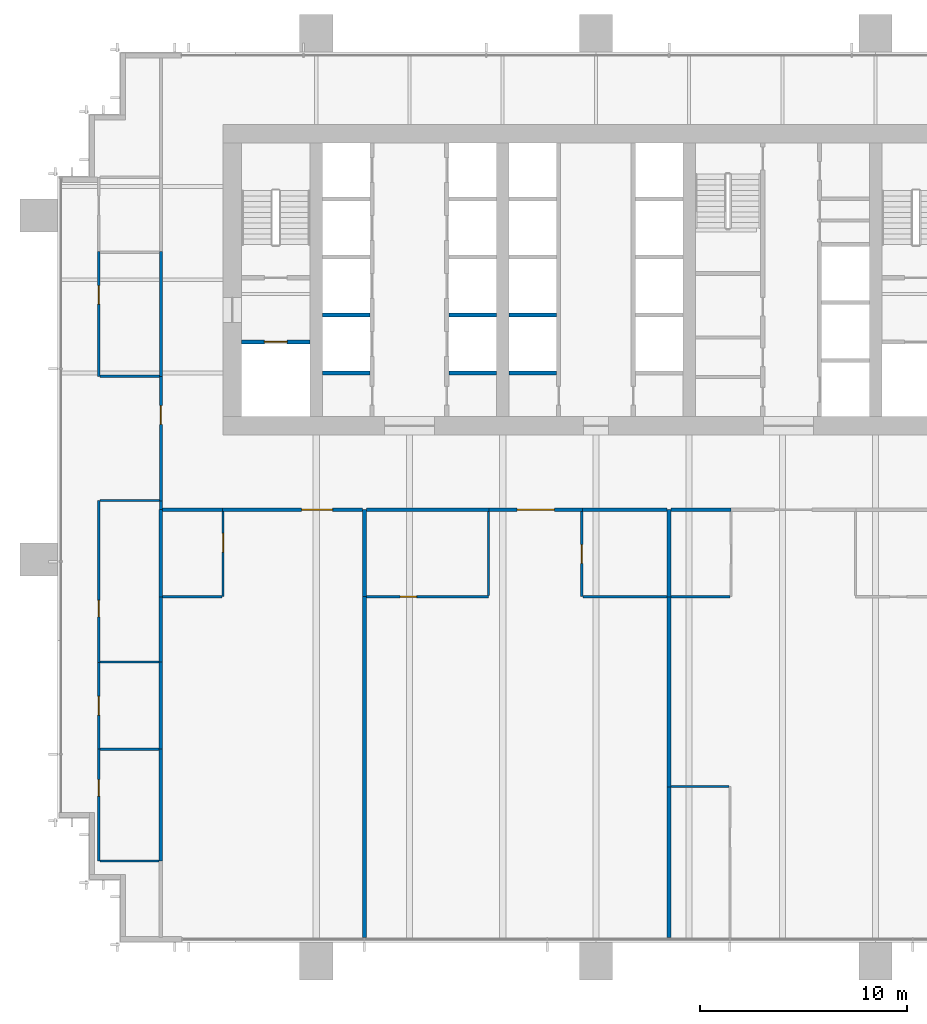
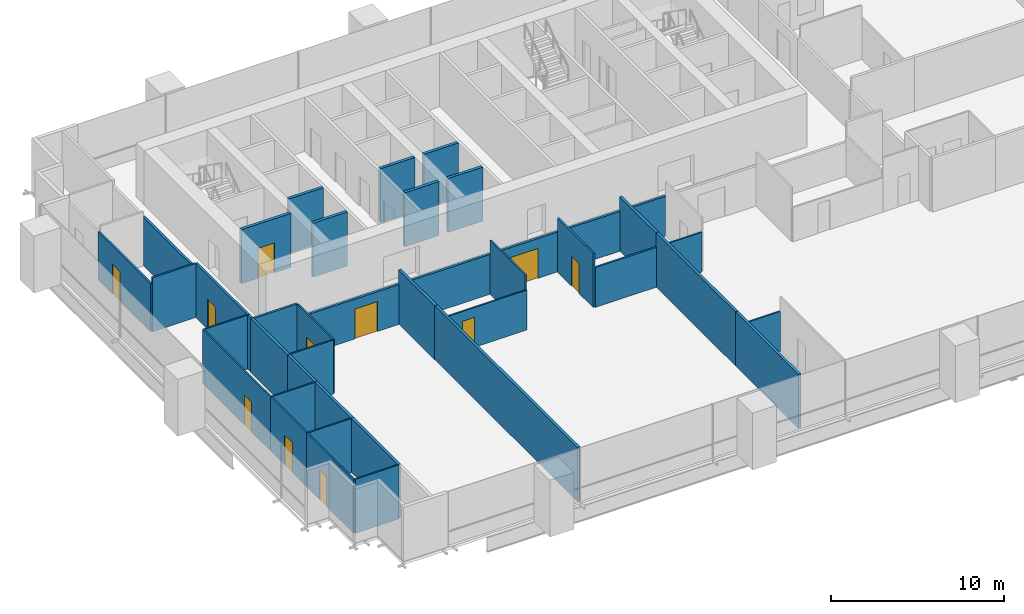
# One storey, part 12 of 17: 42 walls, 11 doors, 11 openings.
"""IFC4 building model written with IfcOpenShell, lengths in metres."""

from ifc_helpers import new_model, si_unit, direction, frame, frame_2d, origin, place, context, subcontext, project, spatial, rectangle, extrude, material, layer, layer_set, type_object, element, fill, save


model = new_model("IFC4")

# Units and contexts
model_context = context("Model", 3, precision=1e-05, world=origin(), true_north=direction((0.0, 1.0)))
body_context = subcontext(model_context, "Body", "Model", "MODEL_VIEW")
ifc_project = project(units=[si_unit("LENGTHUNIT", "METRE"), si_unit("AREAUNIT", "SQUARE_METRE"), si_unit("VOLUMEUNIT", "CUBIC_METRE"), si_unit("PLANEANGLEUNIT", "RADIAN"), si_unit("MASSUNIT", "GRAM", prefix="KILO")], contexts=[model_context])

# Site, building, storey
site_placement = place(None, origin())
site = spatial("IfcSite", under=ifc_project, at=site_placement, CompositionType="ELEMENT")
building_placement = place(site_placement, origin())
building = spatial("IfcBuilding", under=site, at=building_placement, Name="Rattan Terrace Tower", CompositionType="ELEMENT")
storey_placement = place(building_placement, frame((0.0, 0.0, 83.699951171875)))
storey = spatial("IfcBuildingStorey", under=building, at=storey_placement, Name="L18", CompositionType="ELEMENT", Elevation=83.699951171875)

# Wall, opening, door
ifc_material_1 = material(Name="Gypsum board partition")
ifc_layer_1 = layer(ifc_material_1, 0.199951171875)
ifc_layer_set_1 = layer_set([ifc_layer_1], Name="Core partition 200")
wall_type_1 = type_object("IfcWallType", Name="Core partition 200", PredefinedType="PARTITIONING", material=ifc_layer_set_1)
wall_1_placement = place(storey_placement, frame((-17.10009765625, -3.0, 0.0), z_axis=(0.0, 0.0, 1.0), x_axis=(1.0, 0.0, 0.0)))
wall_1 = element("IfcWall", 1, at=wall_1_placement, inside=storey, type_object=wall_type_1, Name="Fire-fighting lobby wall", PredefinedType="PARTITIONING", context=body_context, shape_type="SweptSolid", body=[
    extrude(rectangle(XDim=3.300048828125, YDim=0.199951171875, at=frame_2d((1.64990234375, 0.0))), origin(), (0.0, 0.0, 1.0), 3.800048828125),
])
opening_1_placement = place(wall_1_placement, frame((1.10009765625, 0.0, 0.0)))
opening_1 = element("IfcOpeningElement", 2, at=opening_1_placement, cuts=wall_1, Name="Opening L18-LD-FF1", PredefinedType="OPENING", context=body_context, shape_type="SweptSolid", body=[
    extrude(rectangle(XDim=1.10009765625, YDim=2.10009765625, at=frame_2d((0.550048828125, 1.050048828125))), frame((0.0, 0.110595703125, 0.0), z_axis=(0.0, -1.0, 0.0), x_axis=(1.0, 0.0, 0.0)), (0.0, 0.0, 1.0), 0.220947265625),
])
ifc_material_2 = material(Name="Brushed stainless landing door panel")
door_type_1 = type_object("IfcDoorType", Name="Core lift landing door 1100", OperationType="DOUBLE_DOOR_SLIDING", PredefinedType="DOOR", material=ifc_material_2)
door_1_placement = place(opening_1_placement, origin())
door_1 = element("IfcDoor", 3, at=door_1_placement, inside=storey, type_object=door_type_1, Name="Door L18-LD-FF1", OperationType="DOUBLE_DOOR_SLIDING", OverallHeight=2.10009765625, OverallWidth=1.10009765625, PredefinedType="DOOR", context=body_context, shape_type="SweptSolid", body=[
    extrude(rectangle(XDim=1.10009765625, YDim=2.10009765625, at=frame_2d((0.550048828125, 1.050048828125))), frame((0.0, 0.02490234375, 0.0), z_axis=(0.0, -1.0, 0.0), x_axis=(1.0, 0.0, 0.0)), (0.0, 0.0, 1.0), 0.050048828125),
])
fill(opening_1, door_1)

# Walls
ifc_material_3 = material(Name="Double steel stud acoustic partition, gypsum board, mineral wool, fire rated", Category="steel")
ifc_layer_2 = layer(ifc_material_3, 0.179931640625)
ifc_layer_set_2 = layer_set([ifc_layer_2], Name="Floors Acoustic Party Wall 180")
wall_type_2 = type_object("IfcWallType", Name="Floors Acoustic Party Wall 180", PredefinedType="PARTITIONING", material=ifc_layer_set_2)
wall_2_placement = place(storey_placement, frame((-21.0, -22.659912109375, 0.0), z_axis=(0.0, 0.0, 1.0), x_axis=(0.0, -1.0, 0.0)))
element("IfcWall", 4, at=wall_2_placement, inside=storey, type_object=wall_type_2, Name="pt-L18-031", PredefinedType="PARTITIONING", context=body_context, shape_type="SweptSolid", body=[
    extrude(rectangle(XDim=5.400146484375, YDim=0.179931640625, at=frame_2d((2.7001953125, 0.0))), origin(), (0.0, 0.0, 1.0), 3.800048828125),
])
wall_3_placement = place(storey_placement, frame((-21.0, -18.4599609375, 0.0), z_axis=(0.0, 0.0, 1.0), x_axis=(0.0, -1.0, 0.0)))
element("IfcWall", 5, at=wall_3_placement, inside=storey, type_object=wall_type_2, Name="pt-L18-033", PredefinedType="PARTITIONING", context=body_context, shape_type="SweptSolid", body=[
    extrude(rectangle(XDim=4.199951171875, YDim=0.179931640625, at=frame_2d((2.10009765625, 0.0))), origin(), (0.0, 0.0, 1.0), 3.800048828125),
])
wall_4_placement = place(storey_placement, frame((-21.0, -15.320068359375, 0.0), z_axis=(0.0, 0.0, 1.0), x_axis=(0.0, -1.0, 0.0)))
element("IfcWall", 6, at=wall_4_placement, inside=storey, type_object=wall_type_2, Name="pt-L18-034", PredefinedType="PARTITIONING", context=body_context, shape_type="SweptSolid", body=[
    extrude(rectangle(XDim=3.139892578125, YDim=0.179931640625, at=frame_2d((1.56982421875, 0.0))), origin(), (0.0, 0.0, 1.0), 3.800048828125),
])
wall_5_placement = place(storey_placement, frame((-21.0, -11.080078125, 0.0), z_axis=(0.0, 0.0, 1.0), x_axis=(0.0, -1.0, 0.0)))
element("IfcWall", 7, at=wall_5_placement, inside=storey, type_object=wall_type_2, Name="pt-L18-035", PredefinedType="PARTITIONING", context=body_context, shape_type="SweptSolid", body=[
    extrude(rectangle(XDim=4.239990234375, YDim=0.179931640625, at=frame_2d((2.1201171875, 0.0))), origin(), (0.0, 0.0, 1.0), 3.800048828125),
])
wall_6_placement = place(storey_placement, frame((-11.176025390625, -15.280029296875, 0.0), z_axis=(0.0, 0.0, 1.0), x_axis=(0.0, -1.0, 0.0)))
element("IfcWall", 8, at=wall_6_placement, inside=storey, type_object=wall_type_2, Name="pt-L18-039", PredefinedType="PARTITIONING", context=body_context, shape_type="SweptSolid", body=[
    extrude(rectangle(XDim=16.4599609375, YDim=0.179931640625, at=frame_2d((8.22998046875, 0.0))), origin(), (0.0, 0.0, 1.0), 3.800048828125),
])
wall_7_placement = place(storey_placement, frame((-11.176025390625, -11.10009765625, 0.0), z_axis=(0.0, 0.0, 1.0), x_axis=(0.0, -1.0, 0.0)))
element("IfcWall", 9, at=wall_7_placement, inside=storey, type_object=wall_type_2, Name="pt-L18-040", PredefinedType="PARTITIONING", context=body_context, shape_type="SweptSolid", body=[
    extrude(rectangle(XDim=4.179931640625, YDim=0.179931640625, at=frame_2d((2.08984375, 0.0))), origin(), (0.0, 0.0, 1.0), 3.800048828125),
])
wall_8_placement = place(storey_placement, frame((3.529052734375, -15.300048828125, 0.0), z_axis=(0.0, 0.0, 1.0), x_axis=(0.0, -1.0, 0.0)))
element("IfcWall", 10, at=wall_8_placement, inside=storey, type_object=wall_type_2, Name="pt-L18-045", PredefinedType="PARTITIONING", context=body_context, shape_type="SweptSolid", body=[
    extrude(rectangle(XDim=9.179931640625, YDim=0.179931640625, at=frame_2d((4.58984375, 0.0))), origin(), (0.0, 0.0, 1.0), 3.800048828125),
])
wall_9_placement = place(storey_placement, frame((3.529052734375, -24.47998046875, 0.0), z_axis=(0.0, 0.0, 1.0), x_axis=(0.0, -1.0, 0.0)))
element("IfcWall", 11, at=wall_9_placement, inside=storey, type_object=wall_type_2, Name="pt-L18-046", PredefinedType="PARTITIONING", context=body_context, shape_type="SweptSolid", body=[
    extrude(rectangle(XDim=7.260009765625, YDim=0.179931640625, at=frame_2d((3.6298828125, 0.0))), origin(), (0.0, 0.0, 1.0), 3.800048828125),
])
wall_10_placement = place(storey_placement, frame((3.529052734375, -11.10009765625, 0.0), z_axis=(0.0, 0.0, 1.0), x_axis=(0.0, -1.0, 0.0)))
element("IfcWall", 12, at=wall_10_placement, inside=storey, type_object=wall_type_2, Name="pt-L18-047", PredefinedType="PARTITIONING", context=body_context, shape_type="SweptSolid", body=[
    extrude(rectangle(XDim=4.199951171875, YDim=0.179931640625, at=frame_2d((2.10009765625, 0.0))), origin(), (0.0, 0.0, 1.0), 3.800048828125),
])

# Wall, opening, door
ifc_material_4 = material(Name="Gypsum board partition on steel studs", Category="steel")
ifc_layer_3 = layer(ifc_material_4, 0.10009765625)
ifc_layer_set_3 = layer_set([ifc_layer_3], Name="Floors Partition 100")
wall_type_3 = type_object("IfcWallType", Name="Floors Partition 100", PredefinedType="PARTITIONING", material=ifc_layer_set_3)
wall_11_placement = place(storey_placement, frame((-24.0, -22.639892578125, 0.0), z_axis=(0.0, 0.0, 1.0), x_axis=(0.0, -1.0, 0.0)))
wall_11 = element("IfcWall", 13, at=wall_11_placement, inside=storey, type_object=wall_type_3, Name="pt-L18-020", PredefinedType="PARTITIONING", context=body_context, shape_type="SweptSolid", body=[
    extrude(rectangle(XDim=5.420166015625, YDim=0.10009765625, at=frame_2d((2.7099609375, 0.0))), origin(), (0.0, 0.0, 1.0), 3.800048828125),
])
opening_2_placement = place(wall_11_placement, frame((1.486083984375, 0.0, 0.0)))
opening_2 = element("IfcOpeningElement", 14, at=opening_2_placement, cuts=wall_11, Name="Opening L18-D101", PredefinedType="OPENING", context=body_context, shape_type="SweptSolid", body=[
    extrude(rectangle(XDim=0.800048828125, YDim=2.10009765625, at=frame_2d((0.39990234375, 1.050048828125))), frame((0.0, 0.060546875, 0.0), z_axis=(0.0, -1.0, 0.0), x_axis=(1.0, 0.0, 0.0)), (0.0, 0.0, 1.0), 0.12109375),
])
ifc_material_5 = material(Name="Solid core timber door, painted", Category="wood")
door_type_2 = type_object("IfcDoorType", Name="Floors Store Door 800x2100", OperationType="NOTDEFINED", PredefinedType="DOOR", material=ifc_material_5)
door_2_placement = place(opening_2_placement, origin())
door_2 = element("IfcDoor", 15, at=door_2_placement, inside=storey, type_object=door_type_2, Name="d-L18-101", OperationType="SINGLE_SWING_LEFT", OverallHeight=2.10009765625, OverallWidth=0.800048828125, PredefinedType="DOOR", context=body_context, shape_type="SweptSolid", body=[
    extrude(rectangle(XDim=0.800048828125, YDim=2.10009765625, at=frame_2d((0.39990234375, 1.050048828125))), frame((0.0, 0.02490234375, 0.0), z_axis=(0.0, -1.0, 0.0), x_axis=(1.0, 0.0, 0.0)), (0.0, 0.0, 1.0), 0.050048828125),
])
fill(opening_2, door_2)

# Wall
wall_12_placement = place(storey_placement, frame((-23.949951171875, -28.06005859375, 0.0), z_axis=(0.0, 0.0, 1.0), x_axis=(1.0, 0.0, 0.0)))
element("IfcWall", 16, at=wall_12_placement, inside=storey, type_object=wall_type_3, Name="pt-L18-021", PredefinedType="PARTITIONING", context=body_context, shape_type="SweptSolid", body=[
    extrude(rectangle(XDim=2.85986328125, YDim=0.10009765625, at=frame_2d((1.429931640625, 0.0))), origin(), (0.0, 0.0, 1.0), 3.800048828125),
])

# Wall, opening, door
wall_13_placement = place(storey_placement, frame((-24.0, -18.47998046875, 0.0), z_axis=(0.0, 0.0, 1.0), x_axis=(0.0, -1.0, 0.0)))
wall_13 = element("IfcWall", 17, at=wall_13_placement, inside=storey, type_object=wall_type_3, Name="pt-L18-022", PredefinedType="PARTITIONING", context=body_context, shape_type="SweptSolid", body=[
    extrude(rectangle(XDim=4.159912109375, YDim=0.10009765625, at=frame_2d((2.080078125, 0.0))), origin(), (0.0, 0.0, 1.0), 3.800048828125),
])
opening_3_placement = place(wall_13_placement, frame((1.6298828125, 0.0, 0.0)))
opening_3 = element("IfcOpeningElement", 18, at=opening_3_placement, cuts=wall_13, Name="Opening L18-D102", PredefinedType="OPENING", context=body_context, shape_type="SweptSolid", body=[
    extrude(rectangle(XDim=0.89990234375, YDim=2.10009765625, at=frame_2d((0.449951171875, 1.050048828125))), frame((0.0, 0.060546875, 0.0), z_axis=(0.0, -1.0, 0.0), x_axis=(1.0, 0.0, 0.0)), (0.0, 0.0, 1.0), 0.12109375),
])
ifc_material_6 = material(Name="Solid core timber door, painted", Category="wood")
door_type_3 = type_object("IfcDoorType", Name="Floors Door 900x2100", OperationType="NOTDEFINED", PredefinedType="DOOR", material=ifc_material_6)
door_3_placement = place(opening_3_placement, origin())
door_3 = element("IfcDoor", 19, at=door_3_placement, inside=storey, type_object=door_type_3, Name="d-L18-102", OperationType="SINGLE_SWING_LEFT", OverallHeight=2.10009765625, OverallWidth=0.89990234375, PredefinedType="DOOR", context=body_context, shape_type="SweptSolid", body=[
    extrude(rectangle(XDim=0.89990234375, YDim=2.10009765625, at=frame_2d((0.449951171875, 1.050048828125))), frame((0.0, 0.02490234375, 0.0), z_axis=(0.0, -1.0, 0.0), x_axis=(1.0, 0.0, 0.0)), (0.0, 0.0, 1.0), 0.050048828125),
])
fill(opening_3, door_3)

wall_14_placement = place(storey_placement, frame((-24.0, -10.659912109375, 0.0), z_axis=(0.0, 0.0, 1.0), x_axis=(0.0, -1.0, 0.0)))
wall_14 = element("IfcWall", 20, at=wall_14_placement, inside=storey, type_object=wall_type_3, Name="pt-L18-023", PredefinedType="PARTITIONING", context=body_context, shape_type="SweptSolid", body=[
    extrude(rectangle(XDim=7.820068359375, YDim=0.10009765625, at=frame_2d((3.91015625, 0.0))), origin(), (0.0, 0.0, 1.0), 3.800048828125),
])
opening_4_placement = place(wall_14_placement, frame((4.81396484375, 0.0, 0.0)))
opening_4 = element("IfcOpeningElement", 21, at=opening_4_placement, cuts=wall_14, Name="Opening L18-D103", PredefinedType="OPENING", context=body_context, shape_type="SweptSolid", body=[
    extrude(rectangle(XDim=0.800048828125, YDim=2.10009765625, at=frame_2d((0.39990234375, 1.050048828125))), frame((0.0, 0.060546875, 0.0), z_axis=(0.0, -1.0, 0.0), x_axis=(1.0, 0.0, 0.0)), (0.0, 0.0, 1.0), 0.12109375),
])
door_4_placement = place(opening_4_placement, origin())
door_4 = element("IfcDoor", 22, at=door_4_placement, inside=storey, type_object=door_type_2, Name="d-L18-103", OperationType="SINGLE_SWING_RIGHT", OverallHeight=2.10009765625, OverallWidth=0.800048828125, PredefinedType="DOOR", context=body_context, shape_type="SweptSolid", body=[
    extrude(rectangle(XDim=0.800048828125, YDim=2.10009765625, at=frame_2d((0.39990234375, 1.050048828125))), frame((0.0, 0.02490234375, 0.0), z_axis=(0.0, -1.0, 0.0), x_axis=(1.0, 0.0, 0.0)), (0.0, 0.0, 1.0), 0.050048828125),
])
fill(opening_4, door_4)

# Walls
wall_15_placement = place(storey_placement, frame((-21.074951171875, -10.659912109375, 0.0), z_axis=(0.0, 0.0, 1.0), x_axis=(-1.0, 0.0, 0.0)))
element("IfcWall", 23, at=wall_15_placement, inside=storey, type_object=wall_type_3, Name="pt-L18-024", PredefinedType="PARTITIONING", context=body_context, shape_type="SweptSolid", body=[
    extrude(rectangle(XDim=2.875, YDim=0.10009765625, at=frame_2d((1.4375, 0.0))), origin(), (0.0, 0.0, 1.0), 3.800048828125),
])
for number, where, z_axis, x_axis, name in (
    (24, (-23.949951171875, -22.659912109375, 0.0), (0.0, 0.0, 1.0), (1.0, 0.0, 0.0), "pt-L18-030"),
    (25, (-23.949951171875, -18.4599609375, 0.0), (0.0, 0.0, 1.0), (1.0, 0.0, 0.0), "pt-L18-032"),
    (26, (-20.909912109375, -15.300048828125, 0.0), (0.0, 0.0, 1.0), (1.0, 0.0, 0.0), "pt-L18-037"),
):
    element("IfcWall", number, at=place(storey_placement, frame(where, z_axis=z_axis, x_axis=x_axis)), inside=storey, type_object=wall_type_3, Name=name, PredefinedType="PARTITIONING", context=body_context, shape_type="SweptSolid", body=[
        extrude(rectangle(XDim=2.85986328125, YDim=0.10009765625, at=frame_2d((1.429931640625, 0.0))), origin(), (0.0, 0.0, 1.0), 3.800048828125),
    ])

# Wall, opening, door
wall_16_placement = place(storey_placement, frame((-18.0, -15.300048828125, 0.0), z_axis=(0.0, 0.0, 1.0), x_axis=(0.0, 1.0, 0.0)))
wall_16 = element("IfcWall", 27, at=wall_16_placement, inside=storey, type_object=wall_type_3, Name="pt-L18-038", PredefinedType="PARTITIONING", context=body_context, shape_type="SweptSolid", body=[
    extrude(rectangle(XDim=4.125, YDim=0.10009765625, at=frame_2d((2.0625, 0.0))), origin(), (0.0, 0.0, 1.0), 3.800048828125),
])
opening_5_placement = place(wall_16_placement, frame((2.156982421875, 0.0, 0.0)))
opening_5 = element("IfcOpeningElement", 28, at=opening_5_placement, cuts=wall_16, Name="Opening L18-D107", PredefinedType="OPENING", context=body_context, shape_type="SweptSolid", body=[
    extrude(rectangle(XDim=0.89990234375, YDim=2.10009765625, at=frame_2d((0.449951171875, 1.050048828125))), frame((0.0, 0.060546875, 0.0), z_axis=(0.0, -1.0, 0.0), x_axis=(1.0, 0.0, 0.0)), (0.0, 0.0, 1.0), 0.12109375),
])
door_5_placement = place(opening_5_placement, origin())
door_5 = element("IfcDoor", 29, at=door_5_placement, inside=storey, type_object=door_type_3, Name="d-L18-107", OperationType="SINGLE_SWING_RIGHT", OverallHeight=2.10009765625, OverallWidth=0.89990234375, PredefinedType="DOOR", context=body_context, shape_type="SweptSolid", body=[
    extrude(rectangle(XDim=0.89990234375, YDim=2.10009765625, at=frame_2d((0.449951171875, 1.050048828125))), frame((0.0, 0.02490234375, 0.0), z_axis=(0.0, -1.0, 0.0), x_axis=(1.0, 0.0, 0.0)), (0.0, 0.0, 1.0), 0.050048828125),
])
fill(opening_5, door_5)

wall_17_placement = place(storey_placement, frame((-11.0859375, -15.300048828125, 0.0), z_axis=(0.0, 0.0, 1.0), x_axis=(1.0, 0.0, 0.0)))
wall_17 = element("IfcWall", 30, at=wall_17_placement, inside=storey, type_object=wall_type_3, Name="pt-L18-041", PredefinedType="PARTITIONING", context=body_context, shape_type="SweptSolid", body=[
    extrude(rectangle(XDim=5.909912109375, YDim=0.10009765625, at=frame_2d((2.955078125, 0.0))), origin(), (0.0, 0.0, 1.0), 2.800048828125),
])
opening_6_placement = place(wall_17_placement, frame((1.633056640625, 0.0, 0.0)))
opening_6 = element("IfcOpeningElement", 31, at=opening_6_placement, cuts=wall_17, Name="Opening L18-D109", PredefinedType="OPENING", context=body_context, shape_type="SweptSolid", body=[
    extrude(rectangle(XDim=0.800048828125, YDim=2.10009765625, at=frame_2d((0.39990234375, 1.050048828125))), frame((0.0, 0.060546875, 0.0), z_axis=(0.0, -1.0, 0.0), x_axis=(1.0, 0.0, 0.0)), (0.0, 0.0, 1.0), 0.12109375),
])
door_6_placement = place(opening_6_placement, origin())
door_6 = element("IfcDoor", 32, at=door_6_placement, inside=storey, type_object=door_type_2, Name="d-L18-109", OperationType="SINGLE_SWING_LEFT", OverallHeight=2.10009765625, OverallWidth=0.800048828125, PredefinedType="DOOR", context=body_context, shape_type="SweptSolid", body=[
    extrude(rectangle(XDim=0.800048828125, YDim=2.10009765625, at=frame_2d((0.39990234375, 1.050048828125))), frame((0.0, 0.02490234375, 0.0), z_axis=(0.0, -1.0, 0.0), x_axis=(1.0, 0.0, 0.0)), (0.0, 0.0, 1.0), 0.050048828125),
])
fill(opening_6, door_6)

# Walls
wall_18_placement = place(storey_placement, frame((-5.176025390625, -15.25, 0.0), z_axis=(0.0, 0.0, 1.0), x_axis=(0.0, 1.0, 0.0)))
element("IfcWall", 33, at=wall_18_placement, inside=storey, type_object=wall_type_3, Name="pt-L18-042", PredefinedType="PARTITIONING", context=body_context, shape_type="SweptSolid", body=[
    extrude(rectangle(XDim=4.074951171875, YDim=0.10009765625, at=frame_2d((2.03759765625, 0.0))), origin(), (0.0, 0.0, 1.0), 3.800048828125),
])
wall_19_placement = place(storey_placement, frame((6.4208984375, -24.4599609375, 0.0), z_axis=(0.0, 0.0, 1.0), x_axis=(-1.0, 0.0, 0.0)))
element("IfcWall", 34, at=wall_19_placement, inside=storey, type_object=wall_type_3, Name="pt-L18-048", PredefinedType="PARTITIONING", context=body_context, shape_type="SweptSolid", body=[
    extrude(rectangle(XDim=2.802001953125, YDim=0.10009765625, at=frame_2d((1.40087890625, 0.0))), origin(), (0.0, 0.0, 1.0), 2.800048828125),
])
wall_20_placement = place(storey_placement, frame((3.618896484375, -15.300048828125, 0.0), z_axis=(0.0, 0.0, 1.0), x_axis=(1.0, 0.0, 0.0)))
element("IfcWall", 35, at=wall_20_placement, inside=storey, type_object=wall_type_3, Name="pt-L18-050", PredefinedType="PARTITIONING", context=body_context, shape_type="SweptSolid", body=[
    extrude(rectangle(XDim=2.860107421875, YDim=0.10009765625, at=frame_2d((1.43017578125, 0.0))), origin(), (0.0, 0.0, 1.0), 2.800048828125),
])

# Wall, opening, door
ifc_material_7 = material(Name="Gypsum board partition on steel studs, fire rated", Category="steel")
ifc_layer_4 = layer(ifc_material_7, 0.14990234375)
ifc_layer_set_4 = layer_set([ifc_layer_4], Name="Floors Tenancy Wall 150")
wall_type_4 = type_object("IfcWallType", Name="Floors Tenancy Wall 150", PredefinedType="PARTITIONING", material=ifc_layer_set_4)
wall_21_placement = place(storey_placement, frame((-21.0, -10.679931640625, 0.0), z_axis=(0.0, 0.0, 1.0), x_axis=(0.0, 1.0, 0.0)))
wall_21 = element("IfcWall", 36, at=wall_21_placement, inside=storey, type_object=wall_type_4, Name="pt-L18-001", PredefinedType="PARTITIONING", context=body_context, shape_type="SweptSolid", body=[
    extrude(rectangle(XDim=6.0, YDim=0.14990234375, at=frame_2d((3.0, 0.0))), origin(), (0.0, 0.0, 1.0), 3.800048828125),
])
opening_7_placement = place(wall_21_placement, frame((3.699951171875, 0.0, 0.0)))
opening_7 = element("IfcOpeningElement", 37, at=opening_7_placement, cuts=wall_21, Name="Opening L18-D100", PredefinedType="OPENING", context=body_context, shape_type="SweptSolid", body=[
    extrude(rectangle(XDim=0.89990234375, YDim=2.10009765625, at=frame_2d((0.449951171875, 1.050048828125))), frame((0.0, 0.08544921875, 0.0), z_axis=(0.0, -1.0, 0.0), x_axis=(1.0, 0.0, 0.0)), (0.0, 0.0, 1.0), 0.1708984375),
])
ifc_material_8 = material(Name="Steel fire door set", Category="steel")
door_type_4 = type_object("IfcDoorType", Name="Floors Fire Door FD30S 900x2100", OperationType="NOTDEFINED", PredefinedType="DOOR", material=ifc_material_8)
door_7_placement = place(opening_7_placement, origin())
door_7 = element("IfcDoor", 38, at=door_7_placement, inside=storey, type_object=door_type_4, Name="d-L18-100", OperationType="SINGLE_SWING_RIGHT", OverallHeight=2.10009765625, OverallWidth=0.89990234375, PredefinedType="DOOR", context=body_context, shape_type="SweptSolid", body=[
    extrude(rectangle(XDim=0.89990234375, YDim=2.10009765625, at=frame_2d((0.449951171875, 1.050048828125))), frame((0.0, 0.02490234375, 0.0), z_axis=(0.0, -1.0, 0.0), x_axis=(1.0, 0.0, 0.0)), (0.0, 0.0, 1.0), 0.050048828125),
])
fill(opening_7, door_7)

# Walls
wall_22_placement = place(storey_placement, frame((-21.0029296875, -11.080078125, 0.0), z_axis=(0.0, 0.0, 1.0), x_axis=(0.0, 1.0, 0.0)))
element("IfcWall", 39, at=wall_22_placement, inside=storey, type_object=wall_type_4, Name="pt-L18-003", PredefinedType="PARTITIONING", context=body_context, shape_type="SweptSolid", body=[
    extrude(rectangle(XDim=0.400146484375, YDim=0.14990234375, at=frame_2d((0.2001953125, 0.0))), origin(), (0.0, 0.0, 1.0), 3.800048828125),
])
wall_23_placement = place(storey_placement, frame((-21.0, -4.679931640625, 0.0), z_axis=(0.0, 0.0, 1.0), x_axis=(0.0, 1.0, 0.0)))
element("IfcWall", 40, at=wall_23_placement, inside=storey, type_object=wall_type_4, Name="pt-L18-004", PredefinedType="PARTITIONING", context=body_context, shape_type="SweptSolid", body=[
    extrude(rectangle(XDim=6.0400390625, YDim=0.14990234375, at=frame_2d((3.02001953125, 0.0))), origin(), (0.0, 0.0, 1.0), 3.400146484375),
])

# Wall, opening, door
wall_24_placement = place(storey_placement, frame((-11.26611328125, -11.10009765625, 0.0), z_axis=(0.0, 0.0, 1.0), x_axis=(-1.0, 0.0, 0.0)))
wall_24 = element("IfcWall", 41, at=wall_24_placement, inside=storey, type_object=wall_type_4, Name="pt-L18-006", PredefinedType="PARTITIONING", context=body_context, shape_type="SweptSolid", body=[
    extrude(rectangle(XDim=6.75390625, YDim=0.14990234375, at=frame_2d((3.376953125, 0.0))), origin(), (0.0, 0.0, 1.0), 2.800048828125),
])
opening_8_placement = place(wall_24_placement, frame((1.43798828125, 0.0, 0.0)))
opening_8 = element("IfcOpeningElement", 42, at=opening_8_placement, cuts=wall_24, Name="Opening L18-D106", PredefinedType="OPENING", context=body_context, shape_type="SweptSolid", body=[
    extrude(rectangle(XDim=1.5, YDim=2.10009765625, at=frame_2d((0.75, 1.050048828125))), frame((0.0, 0.08544921875, 0.0), z_axis=(0.0, -1.0, 0.0), x_axis=(1.0, 0.0, 0.0)), (0.0, 0.0, 1.0), 0.1708984375),
])
ifc_material_9 = material(Name="Steel fire door set", Category="steel")
door_type_5 = type_object("IfcDoorType", Name="Floors Unit Door Pair FD30S 1500x2100", OperationType="NOTDEFINED", PredefinedType="DOOR", material=ifc_material_9)
door_8_placement = place(opening_8_placement, origin())
door_8 = element("IfcDoor", 43, at=door_8_placement, inside=storey, type_object=door_type_5, Name="d-L18-106", OperationType="DOUBLE_DOOR_SINGLE_SWING", OverallHeight=2.10009765625, OverallWidth=1.5, PredefinedType="DOOR", context=body_context, shape_type="SweptSolid", body=[
    extrude(rectangle(XDim=1.5, YDim=2.10009765625, at=frame_2d((0.75, 1.050048828125))), frame((0.0, 0.02490234375, 0.0), z_axis=(0.0, -1.0, 0.0), x_axis=(1.0, 0.0, 0.0)), (0.0, 0.0, 1.0), 0.050048828125),
])
fill(opening_8, door_8)

# Wall
wall_25_placement = place(storey_placement, frame((-18.02001953125, -11.09912109375, 0.0), z_axis=(0.0, 0.0, 1.0), x_axis=(-1.0, 0.0, 0.0)))
element("IfcWall", 44, at=wall_25_placement, inside=storey, type_object=wall_type_4, Name="pt-L18-007", PredefinedType="PARTITIONING", context=body_context, shape_type="SweptSolid", body=[
    extrude(rectangle(XDim=2.889892578125, YDim=0.14990234375, at=frame_2d((1.44482421875, 0.0))), origin(), (0.0, 0.0, 1.0), 3.800048828125),
])

# Wall, opening, door
wall_26_placement = place(storey_placement, frame((-0.656005859375, -11.10009765625, 0.0), z_axis=(0.0, 0.0, 1.0), x_axis=(-1.0, 0.0, 0.0)))
wall_26 = element("IfcWall", 45, at=wall_26_placement, inside=storey, type_object=wall_type_4, Name="pt-L18-008", PredefinedType="PARTITIONING", context=body_context, shape_type="SweptSolid", body=[
    extrude(rectangle(XDim=4.5, YDim=0.14990234375, at=frame_2d((2.25, 0.0))), origin(), (0.0, 0.0, 1.0), 2.800048828125),
])
opening_9_placement = place(wall_26_placement, frame((1.35009765625, 0.0, 0.0)))
opening_9 = element("IfcOpeningElement", 46, at=opening_9_placement, cuts=wall_26, Name="Opening L18-D108", PredefinedType="OPENING", context=body_context, shape_type="SweptSolid", body=[
    extrude(rectangle(XDim=1.800048828125, YDim=2.10009765625, at=frame_2d((0.89990234375, 1.050048828125))), frame((0.0, 0.08544921875, 0.0), z_axis=(0.0, -1.0, 0.0), x_axis=(1.0, 0.0, 0.0)), (0.0, 0.0, 1.0), 0.1708984375),
])
ifc_material_10 = material(Name="Steel fire door set", Category="steel")
door_type_6 = type_object("IfcDoorType", Name="Floors Fire Door Pair FD30S 1800x2100", OperationType="NOTDEFINED", PredefinedType="DOOR", material=ifc_material_10)
door_9_placement = place(opening_9_placement, origin())
door_9 = element("IfcDoor", 47, at=door_9_placement, inside=storey, type_object=door_type_6, Name="d-L18-108", OperationType="DOUBLE_DOOR_SINGLE_SWING", OverallHeight=2.10009765625, OverallWidth=1.800048828125, PredefinedType="DOOR", context=body_context, shape_type="SweptSolid", body=[
    extrude(rectangle(XDim=1.800048828125, YDim=2.10009765625, at=frame_2d((0.89990234375, 1.050048828125))), frame((0.0, 0.02490234375, 0.0), z_axis=(0.0, -1.0, 0.0), x_axis=(1.0, 0.0, 0.0)), (0.0, 0.0, 1.0), 0.050048828125),
])
fill(opening_9, door_9)

# Walls
wall_27_placement = place(storey_placement, frame((-5.156005859375, -11.10009765625, 0.0), z_axis=(0.0, 0.0, 1.0), x_axis=(-1.0, 0.0, 0.0)))
element("IfcWall", 48, at=wall_27_placement, inside=storey, type_object=wall_type_4, Name="pt-L18-009", PredefinedType="PARTITIONING", context=body_context, shape_type="SweptSolid", body=[
    extrude(rectangle(XDim=5.929931640625, YDim=0.14990234375, at=frame_2d((2.96484375, 0.0))), origin(), (0.0, 0.0, 1.0), 2.800048828125),
])
wall_28_placement = place(storey_placement, frame((3.43896484375, -11.10009765625, 0.0), z_axis=(0.0, 0.0, 1.0), x_axis=(-1.0, 0.0, 0.0)))
element("IfcWall", 49, at=wall_28_placement, inside=storey, type_object=wall_type_4, Name="pt-L18-010", PredefinedType="PARTITIONING", context=body_context, shape_type="SweptSolid", body=[
    extrude(rectangle(XDim=4.094970703125, YDim=0.14990234375, at=frame_2d((2.04736328125, 0.0))), origin(), (0.0, 0.0, 1.0), 2.800048828125),
])
wall_29_placement = place(storey_placement, frame((6.509033203125, -11.10009765625, 0.0), z_axis=(0.0, 0.0, 1.0), x_axis=(-1.0, 0.0, 0.0)))
element("IfcWall", 50, at=wall_29_placement, inside=storey, type_object=wall_type_4, Name="pt-L18-012", PredefinedType="PARTITIONING", context=body_context, shape_type="SweptSolid", body=[
    extrude(rectangle(XDim=2.89013671875, YDim=0.14990234375, at=frame_2d((1.445068359375, 0.0))), origin(), (0.0, 0.0, 1.0), 2.800048828125),
])

# Wall, opening, door
ifc_material_11 = material(Name="Moisture resistant gypsum board partition on steel studs with service cavity", Category="steel")
ifc_layer_5 = layer(ifc_material_11, 0.1201171875)
ifc_layer_set_5 = layer_set([ifc_layer_5], Name="Floors Wet Wall 120")
wall_type_5 = type_object("IfcWallType", Name="Floors Wet Wall 120", PredefinedType="PARTITIONING", material=ifc_layer_set_5)
wall_30_placement = place(storey_placement, frame((-24.0, 1.360107421875, 0.0), z_axis=(0.0, 0.0, 1.0), x_axis=(0.0, -1.0, 0.0)))
wall_30 = element("IfcWall", 51, at=wall_30_placement, inside=storey, type_object=wall_type_5, Name="pt-L18-025", PredefinedType="PARTITIONING", context=body_context, shape_type="SweptSolid", body=[
    extrude(rectangle(XDim=6.02001953125, YDim=0.1201171875, at=frame_2d((3.010009765625, 0.0))), origin(), (0.0, 0.0, 1.0), 3.400146484375),
])
opening_10_placement = place(wall_30_placement, frame((1.635986328125, 0.0, 0.0)))
opening_10 = element("IfcOpeningElement", 52, at=opening_10_placement, cuts=wall_30, Name="Opening L18-D104", PredefinedType="OPENING", context=body_context, shape_type="SweptSolid", body=[
    extrude(rectangle(XDim=0.89990234375, YDim=2.10009765625, at=frame_2d((0.449951171875, 1.050048828125))), frame((0.0, 0.070556640625, 0.0), z_axis=(0.0, -1.0, 0.0), x_axis=(1.0, 0.0, 0.0)), (0.0, 0.0, 1.0), 0.14111328125),
])
door_10_placement = place(opening_10_placement, origin())
door_10 = element("IfcDoor", 53, at=door_10_placement, inside=storey, type_object=door_type_3, Name="d-L18-104", OperationType="SINGLE_SWING_LEFT", OverallHeight=2.10009765625, OverallWidth=0.89990234375, PredefinedType="DOOR", context=body_context, shape_type="SweptSolid", body=[
    extrude(rectangle(XDim=0.89990234375, YDim=2.10009765625, at=frame_2d((0.449951171875, 1.050048828125))), frame((0.0, 0.02490234375, 0.0), z_axis=(0.0, -1.0, 0.0), x_axis=(1.0, 0.0, 0.0)), (0.0, 0.0, 1.0), 0.050048828125),
])
fill(opening_10, door_10)

# Wall
wall_31_placement = place(storey_placement, frame((-23.93994140625, -4.659912109375, 0.0), z_axis=(0.0, 0.0, 1.0), x_axis=(1.0, 0.0, 0.0)))
element("IfcWall", 54, at=wall_31_placement, inside=storey, type_object=wall_type_5, Name="pt-L18-026", PredefinedType="PARTITIONING", context=body_context, shape_type="SweptSolid", body=[
    extrude(rectangle(XDim=2.864990234375, YDim=0.1201171875, at=frame_2d((1.4326171875, 0.0))), origin(), (0.0, 0.0, 1.0), 3.800048828125),
])

# Wall, opening, door
wall_32_placement = place(storey_placement, frame((-0.676025390625, -11.175048828125, 0.0), z_axis=(0.0, 0.0, 1.0), x_axis=(0.0, -1.0, 0.0)))
wall_32 = element("IfcWall", 55, at=wall_32_placement, inside=storey, type_object=wall_type_5, Name="pt-L18-043", PredefinedType="PARTITIONING", context=body_context, shape_type="SweptSolid", body=[
    extrude(rectangle(XDim=4.125, YDim=0.1201171875, at=frame_2d((2.0625, 0.0))), origin(), (0.0, 0.0, 1.0), 3.800048828125),
])
opening_11_placement = place(wall_32_placement, frame((1.613037109375, 0.0, 0.0)))
opening_11 = element("IfcOpeningElement", 56, at=opening_11_placement, cuts=wall_32, Name="Opening L18-D110", PredefinedType="OPENING", context=body_context, shape_type="SweptSolid", body=[
    extrude(rectangle(XDim=0.89990234375, YDim=2.10009765625, at=frame_2d((0.449951171875, 1.050048828125))), frame((0.0, 0.070556640625, 0.0), z_axis=(0.0, -1.0, 0.0), x_axis=(1.0, 0.0, 0.0)), (0.0, 0.0, 1.0), 0.14111328125),
])
door_11_placement = place(opening_11_placement, origin())
door_11 = element("IfcDoor", 57, at=door_11_placement, inside=storey, type_object=door_type_3, Name="d-L18-110", OperationType="SINGLE_SWING_LEFT", OverallHeight=2.10009765625, OverallWidth=0.89990234375, PredefinedType="DOOR", context=body_context, shape_type="SweptSolid", body=[
    extrude(rectangle(XDim=0.89990234375, YDim=2.10009765625, at=frame_2d((0.449951171875, 1.050048828125))), frame((0.0, 0.02490234375, 0.0), z_axis=(0.0, -1.0, 0.0), x_axis=(1.0, 0.0, 0.0)), (0.0, 0.0, 1.0), 0.050048828125),
])
fill(opening_11, door_11)

# Walls
wall_33_placement = place(storey_placement, frame((-0.615966796875, -15.300048828125, 0.0), z_axis=(0.0, 0.0, 1.0), x_axis=(1.0, 0.0, 0.0)))
element("IfcWall", 58, at=wall_33_placement, inside=storey, type_object=wall_type_5, Name="pt-L18-044", PredefinedType="PARTITIONING", context=body_context, shape_type="SweptSolid", body=[
    extrude(rectangle(XDim=4.054931640625, YDim=0.1201171875, at=frame_2d((2.02734375, 0.0))), origin(), (0.0, 0.0, 1.0), 2.800048828125),
])
ifc_material_12 = material(Name="Gypsum shaft wall system")
ifc_layer_6 = layer(ifc_material_12, 0.199951171875)
ifc_layer_set_6 = layer_set([ifc_layer_6], Name="Lift shaft wall 200")
wall_type_6 = type_object("IfcWallType", Name="Lift shaft wall 200", PredefinedType="PARTITIONING", material=ifc_layer_set_6)
for number, where, z_axis, x_axis, name in (
    (59, (-13.199951171875, -1.699951171875, 0.0), (0.0, 0.0, 1.0), (1.0, 0.0, 0.0), "Lift shaft wall"),
    (60, (-13.199951171875, -4.5, 0.0), (0.0, 0.0, 1.0), (1.0, 0.0, 0.0), "Lift shaft wall"),
    (61, (-7.10009765625, -1.699951171875, 0.0), (0.0, 0.0, 1.0), (1.0, 0.0, 0.0), "Lift shaft wall"),
    (62, (-7.10009765625, -4.5, 0.0), (0.0, 0.0, 1.0), (1.0, 0.0, 0.0), "Lift shaft wall"),
    (63, (-4.199951171875, -1.699951171875, 0.0), (0.0, 0.0, 1.0), (1.0, 0.0, 0.0), "Lift shaft wall"),
    (64, (-4.199951171875, -4.5, 0.0), (0.0, 0.0, 1.0), (1.0, 0.0, 0.0), "Lift shaft wall"),
):
    element("IfcWall", number, at=place(storey_placement, frame(where, z_axis=z_axis, x_axis=x_axis)), inside=storey, type_object=wall_type_6, Name=name, PredefinedType="PARTITIONING", context=body_context, shape_type="SweptSolid", body=[
        extrude(rectangle(XDim=2.300048828125, YDim=0.199951171875, at=frame_2d((1.14990234375, 0.0))), origin(), (0.0, 0.0, 1.0), 3.800048828125),
    ])

save(model, "model.ifc")
